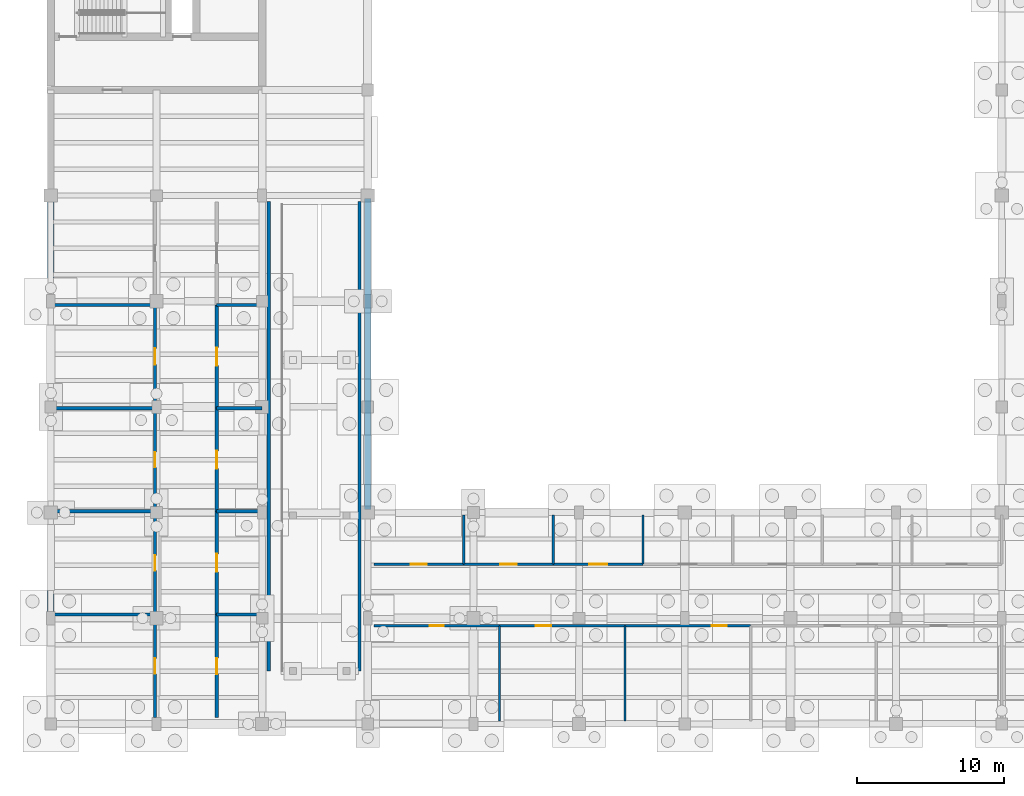
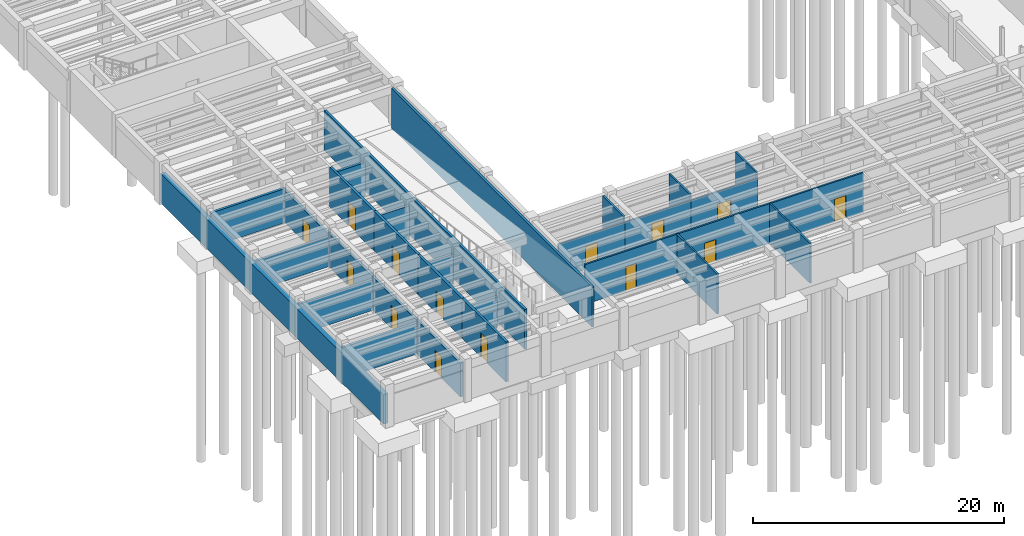
# One storey, part 16 of 33: 31 walls, 14 doors, 14 openings.
"""IFC4 building model written with IfcOpenShell, lengths in metres."""

from ifc_helpers import new_model, si_unit, direction, frame, frame_2d, origin, place, context, subcontext, project, spatial, rectangle, extrude, material, layer, layer_set, type_object, element, fill, save


model = new_model("IFC4")

# Units and contexts
model_context = context("Model", 3, precision=1e-05, world=origin(), true_north=direction((0.0, 1.0)))
body_context = subcontext(model_context, "Body", "Model", "MODEL_VIEW")
ifc_project = project(units=[si_unit("LENGTHUNIT", "METRE"), si_unit("AREAUNIT", "SQUARE_METRE"), si_unit("VOLUMEUNIT", "CUBIC_METRE"), si_unit("PLANEANGLEUNIT", "RADIAN"), si_unit("MASSUNIT", "GRAM", prefix="KILO")], contexts=[model_context])

# Site, building, storey
site_placement = place(None, origin())
site = spatial("IfcSite", under=ifc_project, at=site_placement, CompositionType="ELEMENT")
building_placement = place(site_placement, origin())
building = spatial("IfcBuilding", under=site, at=building_placement, Name="Mithqara Police Headquarters", CompositionType="ELEMENT")
storey_placement = place(building_placement, frame((0.0, 0.0, -4.199951171875)))
storey = spatial("IfcBuildingStorey", under=building, at=storey_placement, Name="B1", CompositionType="ELEMENT", Elevation=-4.199951171875)

# Wall, opening, door
ifc_material_1 = material(Name="Gypsum acoustic stud partition", Category="gypsum")
ifc_layer_1 = layer(ifc_material_1, 0.159912109375, Name="Gypsum acoustic stud partition")
ifc_layer_set_1 = layer_set([ifc_layer_1], Name="Gypsum acoustic stud partition")
wall_type_1 = type_object("IfcWallType", Name="PART WALL 160", PredefinedType="PARTITIONING", material=ifc_layer_set_1)
wall_1_placement = place(storey_placement, frame((29.820068359375, 27.679931640625, 0.0), z_axis=(0.0, 0.0, 1.0), x_axis=(1.0, 0.0, 0.0)))
wall_1 = element("IfcWall", 1, at=wall_1_placement, inside=storey, type_object=wall_type_1, Name="B1 Corridor Wall Patrol Car Park", PredefinedType="PARTITIONING", context=body_context, shape_type="SweptSolid", body=[
    extrude(rectangle(XDim=8.555908203125, YDim=0.159912109375, at=frame_2d((4.27783203125, 0.0))), origin(), (0.0, 0.0, 1.0), 3.8798828125),
])
opening_1_placement = place(wall_1_placement, frame((3.7880859375, 0.0, 0.0)))
opening_1 = element("IfcOpeningElement", 2, at=opening_1_placement, cuts=wall_1, Name="Opening D-06", PredefinedType="OPENING", context=body_context, shape_type="SweptSolid", body=[
    extrude(rectangle(XDim=0.97998046875, YDim=2.35009765625, at=frame_2d((0.489990234375, 1.175048828125))), frame((0.0, 0.08984375, 0.0), z_axis=(0.0, -1.0, 0.0), x_axis=(1.0, 0.0, 0.0)), (0.0, 0.0, 1.0), 0.179931640625),
])
ifc_material_2 = material(Name="Acoustic solid-core timber leaf", Category="wood")
door_type_1 = type_object("IfcDoorType", Name="INT DOOR 980X2350", OperationType="NOTDEFINED", PredefinedType="DOOR", material=ifc_material_2)
door_1_placement = place(opening_1_placement, frame((0.97998046875, 0.0, 0.0), z_axis=(0.0, 0.0, 1.0), x_axis=(-1.0, 0.0, 0.0)))
door_1 = element("IfcDoor", 3, at=door_1_placement, inside=storey, type_object=door_type_1, Name="Patrol Car Park Entry Door", OperationType="SINGLE_SWING_LEFT", OverallHeight=2.35009765625, OverallWidth=0.97998046875, PredefinedType="DOOR", context=body_context, shape_type="SweptSolid", body=[
    extrude(rectangle(XDim=0.97998046875, YDim=2.35009765625, at=frame_2d((0.489990234375, 1.175048828125))), frame((0.0, 0.02490234375, 0.0), z_axis=(0.0, -1.0, 0.0), x_axis=(1.0, 0.0, 0.0)), (0.0, 0.0, 1.0), 0.050048828125),
])
fill(opening_1, door_1)

# Wall
wall_2_placement = place(storey_placement, frame((38.3759765625, 21.179931640625, 0.0), z_axis=(0.0, 0.0, 1.0), x_axis=(0.0, 1.0, 0.0)))
element("IfcWall", 4, at=wall_2_placement, inside=storey, type_object=wall_type_1, Name="B1 Room Partition Patrol Car Park", PredefinedType="PARTITIONING", context=body_context, shape_type="SweptSolid", body=[
    extrude(rectangle(XDim=6.5, YDim=0.159912109375, at=frame_2d((3.25, 0.0))), origin(), (0.0, 0.0, 1.0), 3.8798828125),
])

# Wall, opening, door
wall_3_placement = place(storey_placement, frame((38.3759765625, 27.679931640625, 0.0), z_axis=(0.0, 0.0, 1.0), x_axis=(1.0, 0.0, 0.0)))
wall_3 = element("IfcWall", 5, at=wall_3_placement, inside=storey, type_object=wall_type_1, Name="B1 Corridor Wall Driver Briefing Alcove", PredefinedType="PARTITIONING", context=body_context, shape_type="SweptSolid", body=[
    extrude(rectangle(XDim=8.555908203125, YDim=0.159912109375, at=frame_2d((4.27783203125, 0.0))), origin(), (0.0, 0.0, 1.0), 3.8798828125),
])
opening_2_placement = place(wall_3_placement, frame((2.474609375, 0.0, 0.0)))
opening_2 = element("IfcOpeningElement", 6, at=opening_2_placement, cuts=wall_3, Name="Opening D-07", PredefinedType="OPENING", context=body_context, shape_type="SweptSolid", body=[
    extrude(rectangle(XDim=1.0400390625, YDim=2.10009765625, at=frame_2d((0.52001953125, 1.050048828125))), frame((0.0, 0.08984375, 0.0), z_axis=(0.0, -1.0, 0.0), x_axis=(1.0, 0.0, 0.0)), (0.0, 0.0, 1.0), 0.179931640625),
])
door_type_2 = type_object("IfcDoorType", Name="INT DOOR 1040X2100", OperationType="NOTDEFINED", PredefinedType="DOOR", material=ifc_material_2)
door_2_placement = place(opening_2_placement, frame((1.0400390625, 0.0, 0.0), z_axis=(0.0, 0.0, 1.0), x_axis=(-1.0, 0.0, 0.0)))
door_2 = element("IfcDoor", 7, at=door_2_placement, inside=storey, type_object=door_type_2, Name="Driver Briefing Alcove Entry Door", OperationType="SINGLE_SWING_RIGHT", OverallHeight=2.10009765625, OverallWidth=1.0400390625, PredefinedType="DOOR", context=body_context, shape_type="SweptSolid", body=[
    extrude(rectangle(XDim=1.0400390625, YDim=2.10009765625, at=frame_2d((0.52001953125, 1.050048828125))), frame((0.0, 0.02490234375, 0.0), z_axis=(0.0, -1.0, 0.0), x_axis=(1.0, 0.0, 0.0)), (0.0, 0.0, 1.0), 0.050048828125),
])
fill(opening_2, door_2)

# Wall
wall_4_placement = place(storey_placement, frame((46.931884765625, 21.179931640625, 0.0), z_axis=(0.0, 0.0, 1.0), x_axis=(0.0, 1.0, 0.0)))
element("IfcWall", 8, at=wall_4_placement, inside=storey, type_object=wall_type_1, Name="B1 Room Partition Driver Briefing Alcove", PredefinedType="PARTITIONING", context=body_context, shape_type="SweptSolid", body=[
    extrude(rectangle(XDim=6.5, YDim=0.159912109375, at=frame_2d((3.25, 0.0))), origin(), (0.0, 0.0, 1.0), 3.8798828125),
])

# Wall, opening, door
wall_5_placement = place(storey_placement, frame((46.931884765625, 27.679931640625, 0.0), z_axis=(0.0, 0.0, 1.0), x_axis=(1.0, 0.0, 0.0)))
wall_5 = element("IfcWall", 9, at=wall_5_placement, inside=storey, type_object=wall_type_1, Name="B1 Corridor Wall Patrol Car Park", PredefinedType="PARTITIONING", context=body_context, shape_type="SweptSolid", body=[
    extrude(rectangle(XDim=8.55615234375, YDim=0.159912109375, at=frame_2d((4.278076171875, 0.0))), origin(), (0.0, 0.0, 1.0), 3.8798828125),
])
opening_3_placement = place(wall_5_placement, frame((5.89697265625, 0.0, 0.0)))
opening_3 = element("IfcOpeningElement", 10, at=opening_3_placement, cuts=wall_5, Name="Opening D-08", PredefinedType="OPENING", context=body_context, shape_type="SweptSolid", body=[
    extrude(rectangle(XDim=1.0400390625, YDim=2.219970703125, at=frame_2d((0.52001953125, 1.10986328125))), frame((0.0, 0.08984375, 0.0), z_axis=(0.0, -1.0, 0.0), x_axis=(1.0, 0.0, 0.0)), (0.0, 0.0, 1.0), 0.179931640625),
])
door_type_3 = type_object("IfcDoorType", Name="INT DOOR 1040X2220", OperationType="NOTDEFINED", PredefinedType="DOOR", material=ifc_material_2)
door_3_placement = place(opening_3_placement, frame((1.0400390625, 0.0, 0.0), z_axis=(0.0, 0.0, 1.0), x_axis=(-1.0, 0.0, 0.0)))
door_3 = element("IfcDoor", 11, at=door_3_placement, inside=storey, type_object=door_type_3, Name="Patrol Car Park Entry Door", OperationType="SINGLE_SWING_LEFT", OverallHeight=2.219970703125, OverallWidth=1.0400390625, PredefinedType="DOOR", context=body_context, shape_type="SweptSolid", body=[
    extrude(rectangle(XDim=1.0400390625, YDim=2.219970703125, at=frame_2d((0.52001953125, 1.10986328125))), frame((0.0, 0.02490234375, 0.0), z_axis=(0.0, -1.0, 0.0), x_axis=(1.0, 0.0, 0.0)), (0.0, 0.0, 1.0), 0.050048828125),
])
fill(opening_3, door_3)

wall_6_placement = place(storey_placement, frame((29.820068359375, 31.8798828125, 0.0), z_axis=(0.0, 0.0, 1.0), x_axis=(1.0, 0.0, 0.0)))
wall_6 = element("IfcWall", 12, at=wall_6_placement, inside=storey, type_object=wall_type_1, Name="B1 Corridor Wall Driver Briefing Alcove", PredefinedType="PARTITIONING", context=body_context, shape_type="SweptSolid", body=[
    extrude(rectangle(XDim=6.11083984375, YDim=0.159912109375, at=frame_2d((3.055419921875, 0.0))), origin(), (0.0, 0.0, 1.0), 3.329833984375),
])
opening_4_placement = place(wall_6_placement, frame((2.505615234375, 0.0, 0.0)))
opening_4 = element("IfcOpeningElement", 13, at=opening_4_placement, cuts=wall_6, Name="Opening D-11", PredefinedType="OPENING", context=body_context, shape_type="SweptSolid", body=[
    extrude(rectangle(XDim=1.10009765625, YDim=2.219970703125, at=frame_2d((0.550048828125, 1.10986328125))), frame((0.0, 0.08984375, 0.0), z_axis=(0.0, -1.0, 0.0), x_axis=(1.0, 0.0, 0.0)), (0.0, 0.0, 1.0), 0.179931640625),
])
door_type_4 = type_object("IfcDoorType", Name="INT DOOR 1100X2220", OperationType="NOTDEFINED", PredefinedType="DOOR", material=ifc_material_2)
door_4_placement = place(opening_4_placement, origin())
door_4 = element("IfcDoor", 14, at=door_4_placement, inside=storey, type_object=door_type_4, Name="Driver Briefing Alcove Entry Door", OperationType="SINGLE_SWING_RIGHT", OverallHeight=2.219970703125, OverallWidth=1.10009765625, PredefinedType="DOOR", context=body_context, shape_type="SweptSolid", body=[
    extrude(rectangle(XDim=1.10009765625, YDim=2.219970703125, at=frame_2d((0.550048828125, 1.10986328125))), frame((0.0, 0.02490234375, 0.0), z_axis=(0.0, -1.0, 0.0), x_axis=(1.0, 0.0, 0.0)), (0.0, 0.0, 1.0), 0.050048828125),
])
fill(opening_4, door_4)

# Wall
wall_7_placement = place(storey_placement, frame((35.930908203125, 31.8798828125, 0.0), z_axis=(0.0, 0.0, 1.0), x_axis=(0.0, 1.0, 0.0)))
element("IfcWall", 15, at=wall_7_placement, inside=storey, type_object=wall_type_1, Name="B1 Room Partition Driver Briefing Alcove", PredefinedType="PARTITIONING", context=body_context, shape_type="SweptSolid", body=[
    extrude(rectangle(XDim=3.340087890625, YDim=0.159912109375, at=frame_2d((1.669921875, 0.0))), origin(), (0.0, 0.0, 1.0), 3.8798828125),
])

# Wall, opening, door
wall_8_placement = place(storey_placement, frame((35.930908203125, 31.8798828125, 0.0), z_axis=(0.0, 0.0, 1.0), x_axis=(1.0, 0.0, 0.0)))
wall_8 = element("IfcWall", 16, at=wall_8_placement, inside=storey, type_object=wall_type_1, Name="B1 Corridor Wall Patrol Car Park", PredefinedType="PARTITIONING", context=body_context, shape_type="SweptSolid", body=[
    extrude(rectangle(XDim=6.112060546875, YDim=0.159912109375, at=frame_2d((3.05615234375, 0.0))), origin(), (0.0, 0.0, 1.0), 3.329833984375),
])
opening_5_placement = place(wall_8_placement, frame((2.506103515625, 0.0, 0.0)))
opening_5 = element("IfcOpeningElement", 17, at=opening_5_placement, cuts=wall_8, Name="Opening D-12", PredefinedType="OPENING", context=body_context, shape_type="SweptSolid", body=[
    extrude(rectangle(XDim=1.10009765625, YDim=2.35009765625, at=frame_2d((0.550048828125, 1.175048828125))), frame((0.0, 0.08984375, 0.0), z_axis=(0.0, -1.0, 0.0), x_axis=(1.0, 0.0, 0.0)), (0.0, 0.0, 1.0), 0.179931640625),
])
door_type_5 = type_object("IfcDoorType", Name="INT DOOR 1100X2350", OperationType="NOTDEFINED", PredefinedType="DOOR", material=ifc_material_2)
door_5_placement = place(opening_5_placement, origin())
door_5 = element("IfcDoor", 18, at=door_5_placement, inside=storey, type_object=door_type_5, Name="Patrol Car Park Entry Door", OperationType="SINGLE_SWING_LEFT", OverallHeight=2.35009765625, OverallWidth=1.10009765625, PredefinedType="DOOR", context=body_context, shape_type="SweptSolid", body=[
    extrude(rectangle(XDim=1.10009765625, YDim=2.35009765625, at=frame_2d((0.550048828125, 1.175048828125))), frame((0.0, 0.02490234375, 0.0), z_axis=(0.0, -1.0, 0.0), x_axis=(1.0, 0.0, 0.0)), (0.0, 0.0, 1.0), 0.050048828125),
])
fill(opening_5, door_5)

# Wall
wall_9_placement = place(storey_placement, frame((42.04296875, 31.8798828125, 0.0), z_axis=(0.0, 0.0, 1.0), x_axis=(0.0, 1.0, 0.0)))
element("IfcWall", 19, at=wall_9_placement, inside=storey, type_object=wall_type_1, Name="B1 Room Partition Patrol Car Park", PredefinedType="PARTITIONING", context=body_context, shape_type="SweptSolid", body=[
    extrude(rectangle(XDim=3.340087890625, YDim=0.159912109375, at=frame_2d((1.669921875, 0.0))), origin(), (0.0, 0.0, 1.0), 3.8798828125),
])

# Wall, opening, door
wall_10_placement = place(storey_placement, frame((42.04296875, 31.8798828125, 0.0), z_axis=(0.0, 0.0, 1.0), x_axis=(1.0, 0.0, 0.0)))
wall_10 = element("IfcWall", 20, at=wall_10_placement, inside=storey, type_object=wall_type_1, Name="B1 Corridor Wall Driver Briefing Alcove", PredefinedType="PARTITIONING", context=body_context, shape_type="SweptSolid", body=[
    extrude(rectangle(XDim=6.111083984375, YDim=0.159912109375, at=frame_2d((3.0556640625, 0.0))), origin(), (0.0, 0.0, 1.0), 3.329833984375),
])
opening_6_placement = place(wall_10_placement, frame((2.445556640625, 0.0, 0.0)))
opening_6 = element("IfcOpeningElement", 21, at=opening_6_placement, cuts=wall_10, Name="Opening D-13", PredefinedType="OPENING", context=body_context, shape_type="SweptSolid", body=[
    extrude(rectangle(XDim=1.219970703125, YDim=2.10009765625, at=frame_2d((0.60986328125, 1.050048828125))), frame((0.0, 0.08984375, 0.0), z_axis=(0.0, -1.0, 0.0), x_axis=(1.0, 0.0, 0.0)), (0.0, 0.0, 1.0), 0.179931640625),
])
door_type_6 = type_object("IfcDoorType", Name="INT DOOR 1220X2100", OperationType="NOTDEFINED", PredefinedType="DOOR", material=ifc_material_2)
door_6_placement = place(opening_6_placement, origin())
door_6 = element("IfcDoor", 22, at=door_6_placement, inside=storey, type_object=door_type_6, Name="Driver Briefing Alcove Entry Door", OperationType="SINGLE_SWING_RIGHT", OverallHeight=2.10009765625, OverallWidth=1.219970703125, PredefinedType="DOOR", context=body_context, shape_type="SweptSolid", body=[
    extrude(rectangle(XDim=1.219970703125, YDim=2.10009765625, at=frame_2d((0.60986328125, 1.050048828125))), frame((0.0, 0.02490234375, 0.0), z_axis=(0.0, -1.0, 0.0), x_axis=(1.0, 0.0, 0.0)), (0.0, 0.0, 1.0), 0.050048828125),
])
fill(opening_6, door_6)

# Walls
wall_11_placement = place(storey_placement, frame((48.154052734375, 31.8798828125, 0.0), z_axis=(0.0, 0.0, 1.0), x_axis=(0.0, 1.0, 0.0)))
element("IfcWall", 23, at=wall_11_placement, inside=storey, type_object=wall_type_1, Name="B1 Room Partition Driver Briefing Alcove", PredefinedType="PARTITIONING", context=body_context, shape_type="SweptSolid", body=[
    extrude(rectangle(XDim=3.340087890625, YDim=0.159912109375, at=frame_2d((1.669921875, 0.0))), origin(), (0.0, 0.0, 1.0), 3.8798828125),
])
ifc_material_3 = material(Name="Concrete C40/50", Category="concrete")
ifc_layer_2 = layer(ifc_material_3, 0.2099609375, Name="Concrete C40/50")
ifc_layer_set_2 = layer_set([ifc_layer_2], Name="Concrete C40/50")
wall_type_2 = type_object("IfcWallType", Name="PART WALL 210", PredefinedType="PARTITIONING", material=ifc_layer_set_2)
for number, where, z_axis, x_axis, name in (
    (24, (22.64990234375, 24.60009765625, 0.0), (0.0, 0.0, 1.0), (0.0, 1.0, 0.0), "B1 Vehicle Ramp Fire Enclosure Wall W"),
    (25, (28.85009765625, 24.60009765625, 0.0), (0.0, 0.0, 1.0), (0.0, 1.0, 0.0), "B1 Vehicle Ramp Fire Enclosure Wall E"),
):
    element("IfcWall", number, at=place(storey_placement, frame(where, z_axis=z_axis, x_axis=x_axis)), inside=storey, type_object=wall_type_2, Name=name, PredefinedType="PARTITIONING", context=body_context, shape_type="SweptSolid", body=[
        extrude(rectangle(XDim=32.0, YDim=0.2099609375, at=frame_2d((16.0, 0.0))), origin(), (0.0, 0.0, 1.0), 3.8798828125),
    ])

# Wall, opening, door
ifc_layer_3 = layer(ifc_material_3, 0.22998046875, Name="Concrete C40/50")
ifc_layer_set_3 = layer_set([ifc_layer_3], Name="Concrete C40/50")
wall_type_3 = type_object("IfcWallType", Name="PART WALL 230", PredefinedType="PARTITIONING", material=ifc_layer_set_3)
wall_12_placement = place(storey_placement, frame((14.89990234375, 21.419921875, 0.0), z_axis=(0.0, 0.0, 1.0), x_axis=(0.0, 1.0, 0.0)))
wall_12 = element("IfcWall", 26, at=wall_12_placement, inside=storey, type_object=wall_type_3, Name="B1 Corridor Wall Indoor Firing Range", PredefinedType="PARTITIONING", context=body_context, shape_type="SweptSolid", body=[
    extrude(rectangle(XDim=7.031982421875, YDim=0.22998046875, at=frame_2d((3.51611328125, 0.0))), origin(), (0.0, 0.0, 1.0), 3.280029296875),
])
opening_7_placement = place(wall_12_placement, frame((2.99609375, 0.0, 0.0)))
opening_7 = element("IfcOpeningElement", 27, at=opening_7_placement, cuts=wall_12, Name="Opening D-07", PredefinedType="OPENING", context=body_context, shape_type="SweptSolid", body=[
    extrude(rectangle(XDim=1.0400390625, YDim=2.10009765625, at=frame_2d((0.52001953125, 1.050048828125))), frame((0.0, 0.125, 0.0), z_axis=(0.0, -1.0, 0.0), x_axis=(1.0, 0.0, 0.0)), (0.0, 0.0, 1.0), 0.25),
])
door_7_placement = place(opening_7_placement, frame((1.0400390625, 0.0, 0.0), z_axis=(0.0, 0.0, 1.0), x_axis=(-1.0, 0.0, 0.0)))
door_7 = element("IfcDoor", 28, at=door_7_placement, inside=storey, type_object=door_type_2, Name="Indoor Firing Range Entry Door", OperationType="SINGLE_SWING_RIGHT", OverallHeight=2.10009765625, OverallWidth=1.0400390625, PredefinedType="DOOR", context=body_context, shape_type="SweptSolid", body=[
    extrude(rectangle(XDim=1.0400390625, YDim=2.10009765625, at=frame_2d((0.52001953125, 1.050048828125))), frame((0.0, 0.02490234375, 0.0), z_axis=(0.0, -1.0, 0.0), x_axis=(1.0, 0.0, 0.0)), (0.0, 0.0, 1.0), 0.050048828125),
])
fill(opening_7, door_7)

# Wall
wall_13_placement = place(storey_placement, frame((7.97998046875, 28.451904296875, 0.0), z_axis=(0.0, 0.0, 1.0), x_axis=(1.0, 0.0, 0.0)))
element("IfcWall", 29, at=wall_13_placement, inside=storey, type_object=wall_type_3, Name="B1 Room Partition Indoor Firing Range", PredefinedType="PARTITIONING", context=body_context, shape_type="SweptSolid", body=[
    extrude(rectangle(XDim=6.919921875, YDim=0.22998046875, at=frame_2d((3.4599609375, 0.0))), origin(), (0.0, 0.0, 1.0), 3.030029296875),
])

# Wall, opening, door
wall_14_placement = place(storey_placement, frame((14.89990234375, 28.451904296875, 0.0), z_axis=(0.0, 0.0, 1.0), x_axis=(0.0, 1.0, 0.0)))
wall_14 = element("IfcWall", 30, at=wall_14_placement, inside=storey, type_object=wall_type_3, Name="B1 Corridor Wall Range Control Booth", PredefinedType="PARTITIONING", context=body_context, shape_type="SweptSolid", body=[
    extrude(rectangle(XDim=7.031982421875, YDim=0.22998046875, at=frame_2d((3.51611328125, 0.0))), origin(), (0.0, 0.0, 1.0), 3.22998046875),
])
opening_8_placement = place(wall_14_placement, frame((2.99609375, 0.0, 0.0)))
opening_8 = element("IfcOpeningElement", 31, at=opening_8_placement, cuts=wall_14, Name="Opening D-08", PredefinedType="OPENING", context=body_context, shape_type="SweptSolid", body=[
    extrude(rectangle(XDim=1.0400390625, YDim=2.219970703125, at=frame_2d((0.52001953125, 1.10986328125))), frame((0.0, 0.125, 0.0), z_axis=(0.0, -1.0, 0.0), x_axis=(1.0, 0.0, 0.0)), (0.0, 0.0, 1.0), 0.25),
])
door_8_placement = place(opening_8_placement, frame((1.0400390625, 0.0, 0.0), z_axis=(0.0, 0.0, 1.0), x_axis=(-1.0, 0.0, 0.0)))
door_8 = element("IfcDoor", 32, at=door_8_placement, inside=storey, type_object=door_type_3, Name="Range Control Booth Entry Door", OperationType="SINGLE_SWING_LEFT", OverallHeight=2.219970703125, OverallWidth=1.0400390625, PredefinedType="DOOR", context=body_context, shape_type="SweptSolid", body=[
    extrude(rectangle(XDim=1.0400390625, YDim=2.219970703125, at=frame_2d((0.52001953125, 1.10986328125))), frame((0.0, 0.02490234375, 0.0), z_axis=(0.0, -1.0, 0.0), x_axis=(1.0, 0.0, 0.0)), (0.0, 0.0, 1.0), 0.050048828125),
])
fill(opening_8, door_8)

# Wall
wall_15_placement = place(storey_placement, frame((7.97998046875, 35.48388671875, 0.0), z_axis=(0.0, 0.0, 1.0), x_axis=(1.0, 0.0, 0.0)))
element("IfcWall", 33, at=wall_15_placement, inside=storey, type_object=wall_type_3, Name="B1 Room Partition Range Control Booth", PredefinedType="PARTITIONING", context=body_context, shape_type="SweptSolid", body=[
    extrude(rectangle(XDim=6.919921875, YDim=0.22998046875, at=frame_2d((3.4599609375, 0.0))), origin(), (0.0, 0.0, 1.0), 2.97998046875),
])

# Wall, opening, door
wall_16_placement = place(storey_placement, frame((14.89990234375, 35.48388671875, 0.0), z_axis=(0.0, 0.0, 1.0), x_axis=(0.0, 1.0, 0.0)))
wall_16 = element("IfcWall", 34, at=wall_16_placement, inside=storey, type_object=wall_type_3, Name="B1 Corridor Wall Bullet Trap Maintenance Room", PredefinedType="PARTITIONING", context=body_context, shape_type="SweptSolid", body=[
    extrude(rectangle(XDim=7.0322265625, YDim=0.22998046875, at=frame_2d((3.51611328125, 0.0))), origin(), (0.0, 0.0, 1.0), 3.22998046875),
])
opening_9_placement = place(wall_16_placement, frame((2.99609375, 0.0, 0.0)))
opening_9 = element("IfcOpeningElement", 35, at=opening_9_placement, cuts=wall_16, Name="Opening D-09", PredefinedType="OPENING", context=body_context, shape_type="SweptSolid", body=[
    extrude(rectangle(XDim=1.0400390625, YDim=2.35009765625, at=frame_2d((0.52001953125, 1.175048828125))), frame((0.0, 0.125, 0.0), z_axis=(0.0, -1.0, 0.0), x_axis=(1.0, 0.0, 0.0)), (0.0, 0.0, 1.0), 0.25),
])
door_type_7 = type_object("IfcDoorType", Name="INT DOOR 1040X2350", OperationType="NOTDEFINED", PredefinedType="DOOR", material=ifc_material_2)
door_9_placement = place(opening_9_placement, frame((1.0400390625, 0.0, 0.0), z_axis=(0.0, 0.0, 1.0), x_axis=(-1.0, 0.0, 0.0)))
door_9 = element("IfcDoor", 36, at=door_9_placement, inside=storey, type_object=door_type_7, Name="Bullet Trap Maintenance Room Entry Door", OperationType="SINGLE_SWING_RIGHT", OverallHeight=2.35009765625, OverallWidth=1.0400390625, PredefinedType="DOOR", context=body_context, shape_type="SweptSolid", body=[
    extrude(rectangle(XDim=1.0400390625, YDim=2.35009765625, at=frame_2d((0.52001953125, 1.175048828125))), frame((0.0, 0.02490234375, 0.0), z_axis=(0.0, -1.0, 0.0), x_axis=(1.0, 0.0, 0.0)), (0.0, 0.0, 1.0), 0.050048828125),
])
fill(opening_9, door_9)

# Wall
wall_17_placement = place(storey_placement, frame((7.97998046875, 42.51611328125, 0.0), z_axis=(0.0, 0.0, 1.0), x_axis=(1.0, 0.0, 0.0)))
element("IfcWall", 37, at=wall_17_placement, inside=storey, type_object=wall_type_3, Name="B1 Room Partition Bullet Trap Maintenance Room", PredefinedType="PARTITIONING", context=body_context, shape_type="SweptSolid", body=[
    extrude(rectangle(XDim=6.919921875, YDim=0.22998046875, at=frame_2d((3.4599609375, 0.0))), origin(), (0.0, 0.0, 1.0), 2.8798828125),
])

# Wall, opening, door
wall_18_placement = place(storey_placement, frame((14.89990234375, 42.51611328125, 0.0), z_axis=(0.0, 0.0, 1.0), x_axis=(0.0, 1.0, 0.0)))
wall_18 = element("IfcWall", 38, at=wall_18_placement, inside=storey, type_object=wall_type_3, Name="B1 Corridor Wall Indoor Firing Range", PredefinedType="PARTITIONING", context=body_context, shape_type="SweptSolid", body=[
    extrude(rectangle(XDim=7.031982421875, YDim=0.22998046875, at=frame_2d((3.51611328125, 0.0))), origin(), (0.0, 0.0, 1.0), 3.1298828125),
])
opening_10_placement = place(wall_18_placement, frame((2.966064453125, 0.0, 0.0)))
opening_10 = element("IfcOpeningElement", 39, at=opening_10_placement, cuts=wall_18, Name="Opening D-10", PredefinedType="OPENING", context=body_context, shape_type="SweptSolid", body=[
    extrude(rectangle(XDim=1.10009765625, YDim=2.10009765625, at=frame_2d((0.550048828125, 1.050048828125))), frame((0.0, 0.125, 0.0), z_axis=(0.0, -1.0, 0.0), x_axis=(1.0, 0.0, 0.0)), (0.0, 0.0, 1.0), 0.25),
])
door_type_8 = type_object("IfcDoorType", Name="INT DOOR 1100X2100", OperationType="NOTDEFINED", PredefinedType="DOOR", material=ifc_material_2)
door_10_placement = place(opening_10_placement, frame((1.10009765625, 0.0, 0.0), z_axis=(0.0, 0.0, 1.0), x_axis=(-1.0, 0.0, 0.0)))
door_10 = element("IfcDoor", 40, at=door_10_placement, inside=storey, type_object=door_type_8, Name="Indoor Firing Range Entry Door", OperationType="SINGLE_SWING_LEFT", OverallHeight=2.10009765625, OverallWidth=1.10009765625, PredefinedType="DOOR", context=body_context, shape_type="SweptSolid", body=[
    extrude(rectangle(XDim=1.10009765625, YDim=2.10009765625, at=frame_2d((0.550048828125, 1.050048828125))), frame((0.0, 0.02490234375, 0.0), z_axis=(0.0, -1.0, 0.0), x_axis=(1.0, 0.0, 0.0)), (0.0, 0.0, 1.0), 0.050048828125),
])
fill(opening_10, door_10)

# Wall
wall_19_placement = place(storey_placement, frame((7.97998046875, 49.548095703125, 0.0), z_axis=(0.0, 0.0, 1.0), x_axis=(1.0, 0.0, 0.0)))
element("IfcWall", 41, at=wall_19_placement, inside=storey, type_object=wall_type_3, Name="B1 Room Partition Indoor Firing Range", PredefinedType="PARTITIONING", context=body_context, shape_type="SweptSolid", body=[
    extrude(rectangle(XDim=6.919921875, YDim=0.22998046875, at=frame_2d((3.4599609375, 0.0))), origin(), (0.0, 0.0, 1.0), 3.329833984375),
])

# Wall, opening, door
wall_20_placement = place(storey_placement, frame((19.10009765625, 21.419921875, 0.0), z_axis=(0.0, 0.0, 1.0), x_axis=(0.0, 1.0, 0.0)))
wall_20 = element("IfcWall", 42, at=wall_20_placement, inside=storey, type_object=wall_type_3, Name="B1 Corridor Wall Bullet Trap Maintenance Room", PredefinedType="PARTITIONING", context=body_context, shape_type="SweptSolid", body=[
    extrude(rectangle(XDim=7.031982421875, YDim=0.22998046875, at=frame_2d((3.51611328125, 0.0))), origin(), (0.0, 0.0, 1.0), 3.8798828125),
])
opening_11_placement = place(wall_20_placement, frame((2.966064453125, 0.0, 0.0)))
opening_11 = element("IfcOpeningElement", 43, at=opening_11_placement, cuts=wall_20, Name="Opening D-12", PredefinedType="OPENING", context=body_context, shape_type="SweptSolid", body=[
    extrude(rectangle(XDim=1.10009765625, YDim=2.35009765625, at=frame_2d((0.550048828125, 1.175048828125))), frame((0.0, 0.125, 0.0), z_axis=(0.0, -1.0, 0.0), x_axis=(1.0, 0.0, 0.0)), (0.0, 0.0, 1.0), 0.25),
])
door_11_placement = place(opening_11_placement, origin())
door_11 = element("IfcDoor", 44, at=door_11_placement, inside=storey, type_object=door_type_5, Name="Bullet Trap Maintenance Room Entry Door", OperationType="SINGLE_SWING_LEFT", OverallHeight=2.35009765625, OverallWidth=1.10009765625, PredefinedType="DOOR", context=body_context, shape_type="SweptSolid", body=[
    extrude(rectangle(XDim=1.10009765625, YDim=2.35009765625, at=frame_2d((0.550048828125, 1.175048828125))), frame((0.0, 0.02490234375, 0.0), z_axis=(0.0, -1.0, 0.0), x_axis=(1.0, 0.0, 0.0)), (0.0, 0.0, 1.0), 0.050048828125),
])
fill(opening_11, door_11)

# Wall
wall_21_placement = place(storey_placement, frame((19.10009765625, 28.451904296875, 0.0), z_axis=(0.0, 0.0, 1.0), x_axis=(1.0, 0.0, 0.0)))
element("IfcWall", 45, at=wall_21_placement, inside=storey, type_object=wall_type_3, Name="B1 Room Partition Bullet Trap Maintenance Room", PredefinedType="PARTITIONING", context=body_context, shape_type="SweptSolid", body=[
    extrude(rectangle(XDim=3.099853515625, YDim=0.22998046875, at=frame_2d((1.5498046875, 0.0))), origin(), (0.0, 0.0, 1.0), 2.97998046875),
])

# Wall, opening, door
wall_22_placement = place(storey_placement, frame((19.10009765625, 28.451904296875, 0.0), z_axis=(0.0, 0.0, 1.0), x_axis=(0.0, 1.0, 0.0)))
wall_22 = element("IfcWall", 46, at=wall_22_placement, inside=storey, type_object=wall_type_3, Name="B1 Corridor Wall Indoor Firing Range", PredefinedType="PARTITIONING", context=body_context, shape_type="SweptSolid", body=[
    extrude(rectangle(XDim=7.031982421875, YDim=0.22998046875, at=frame_2d((3.51611328125, 0.0))), origin(), (0.0, 0.0, 1.0), 3.8798828125),
])
opening_12_placement = place(wall_22_placement, frame((2.906005859375, 0.0, 0.0)))
opening_12 = element("IfcOpeningElement", 47, at=opening_12_placement, cuts=wall_22, Name="Opening D-13", PredefinedType="OPENING", context=body_context, shape_type="SweptSolid", body=[
    extrude(rectangle(XDim=1.219970703125, YDim=2.10009765625, at=frame_2d((0.60986328125, 1.050048828125))), frame((0.0, 0.125, 0.0), z_axis=(0.0, -1.0, 0.0), x_axis=(1.0, 0.0, 0.0)), (0.0, 0.0, 1.0), 0.25),
])
door_12_placement = place(opening_12_placement, origin())
door_12 = element("IfcDoor", 48, at=door_12_placement, inside=storey, type_object=door_type_6, Name="Indoor Firing Range Entry Door", OperationType="SINGLE_SWING_RIGHT", OverallHeight=2.10009765625, OverallWidth=1.219970703125, PredefinedType="DOOR", context=body_context, shape_type="SweptSolid", body=[
    extrude(rectangle(XDim=1.219970703125, YDim=2.10009765625, at=frame_2d((0.60986328125, 1.050048828125))), frame((0.0, 0.02490234375, 0.0), z_axis=(0.0, -1.0, 0.0), x_axis=(1.0, 0.0, 0.0)), (0.0, 0.0, 1.0), 0.050048828125),
])
fill(opening_12, door_12)

# Wall
wall_23_placement = place(storey_placement, frame((19.10009765625, 35.48388671875, 0.0), z_axis=(0.0, 0.0, 1.0), x_axis=(1.0, 0.0, 0.0)))
element("IfcWall", 49, at=wall_23_placement, inside=storey, type_object=wall_type_3, Name="B1 Room Partition Indoor Firing Range", PredefinedType="PARTITIONING", context=body_context, shape_type="SweptSolid", body=[
    extrude(rectangle(XDim=3.099853515625, YDim=0.22998046875, at=frame_2d((1.5498046875, 0.0))), origin(), (0.0, 0.0, 1.0), 2.8798828125),
])

# Wall, opening, door
wall_24_placement = place(storey_placement, frame((19.10009765625, 35.48388671875, 0.0), z_axis=(0.0, 0.0, 1.0), x_axis=(0.0, 1.0, 0.0)))
wall_24 = element("IfcWall", 50, at=wall_24_placement, inside=storey, type_object=wall_type_3, Name="B1 Corridor Wall Range Control Booth", PredefinedType="PARTITIONING", context=body_context, shape_type="SweptSolid", body=[
    extrude(rectangle(XDim=7.0322265625, YDim=0.22998046875, at=frame_2d((3.51611328125, 0.0))), origin(), (0.0, 0.0, 1.0), 3.8798828125),
])
opening_13_placement = place(wall_24_placement, frame((2.906005859375, 0.0, 0.0)))
opening_13 = element("IfcOpeningElement", 51, at=opening_13_placement, cuts=wall_24, Name="Opening D-14", PredefinedType="OPENING", context=body_context, shape_type="SweptSolid", body=[
    extrude(rectangle(XDim=1.219970703125, YDim=2.219970703125, at=frame_2d((0.60986328125, 1.10986328125))), frame((0.0, 0.125, 0.0), z_axis=(0.0, -1.0, 0.0), x_axis=(1.0, 0.0, 0.0)), (0.0, 0.0, 1.0), 0.25),
])
door_type_9 = type_object("IfcDoorType", Name="INT DOOR 1220X2220", OperationType="NOTDEFINED", PredefinedType="DOOR", material=ifc_material_2)
door_13_placement = place(opening_13_placement, origin())
door_13 = element("IfcDoor", 52, at=door_13_placement, inside=storey, type_object=door_type_9, Name="Range Control Booth Entry Door", OperationType="SINGLE_SWING_LEFT", OverallHeight=2.219970703125, OverallWidth=1.219970703125, PredefinedType="DOOR", context=body_context, shape_type="SweptSolid", body=[
    extrude(rectangle(XDim=1.219970703125, YDim=2.219970703125, at=frame_2d((0.60986328125, 1.10986328125))), frame((0.0, 0.02490234375, 0.0), z_axis=(0.0, -1.0, 0.0), x_axis=(1.0, 0.0, 0.0)), (0.0, 0.0, 1.0), 0.050048828125),
])
fill(opening_13, door_13)

# Wall
wall_25_placement = place(storey_placement, frame((19.10009765625, 42.51611328125, 0.0), z_axis=(0.0, 0.0, 1.0), x_axis=(1.0, 0.0, 0.0)))
element("IfcWall", 53, at=wall_25_placement, inside=storey, type_object=wall_type_3, Name="B1 Room Partition Range Control Booth", PredefinedType="PARTITIONING", context=body_context, shape_type="SweptSolid", body=[
    extrude(rectangle(XDim=3.099853515625, YDim=0.22998046875, at=frame_2d((1.5498046875, 0.0))), origin(), (0.0, 0.0, 1.0), 3.329833984375),
])

# Wall, opening, door
wall_26_placement = place(storey_placement, frame((19.10009765625, 42.51611328125, 0.0), z_axis=(0.0, 0.0, 1.0), x_axis=(0.0, 1.0, 0.0)))
wall_26 = element("IfcWall", 54, at=wall_26_placement, inside=storey, type_object=wall_type_3, Name="B1 Corridor Wall Bullet Trap Maintenance Room", PredefinedType="PARTITIONING", context=body_context, shape_type="SweptSolid", body=[
    extrude(rectangle(XDim=7.031982421875, YDim=0.22998046875, at=frame_2d((3.51611328125, 0.0))), origin(), (0.0, 0.0, 1.0), 3.8798828125),
])
opening_14_placement = place(wall_26_placement, frame((2.906005859375, 0.0, 0.0)))
opening_14 = element("IfcOpeningElement", 55, at=opening_14_placement, cuts=wall_26, Name="Opening D-15", PredefinedType="OPENING", context=body_context, shape_type="SweptSolid", body=[
    extrude(rectangle(XDim=1.219970703125, YDim=2.35009765625, at=frame_2d((0.60986328125, 1.175048828125))), frame((0.0, 0.125, 0.0), z_axis=(0.0, -1.0, 0.0), x_axis=(1.0, 0.0, 0.0)), (0.0, 0.0, 1.0), 0.25),
])
door_type_10 = type_object("IfcDoorType", Name="INT DOOR 1220X2350", OperationType="NOTDEFINED", PredefinedType="DOOR", material=ifc_material_2)
door_14_placement = place(opening_14_placement, origin())
door_14 = element("IfcDoor", 56, at=door_14_placement, inside=storey, type_object=door_type_10, Name="Bullet Trap Maintenance Room Entry Door", OperationType="SINGLE_SWING_RIGHT", OverallHeight=2.35009765625, OverallWidth=1.219970703125, PredefinedType="DOOR", context=body_context, shape_type="SweptSolid", body=[
    extrude(rectangle(XDim=1.219970703125, YDim=2.35009765625, at=frame_2d((0.60986328125, 1.175048828125))), frame((0.0, 0.02490234375, 0.0), z_axis=(0.0, -1.0, 0.0), x_axis=(1.0, 0.0, 0.0)), (0.0, 0.0, 1.0), 0.050048828125),
])
fill(opening_14, door_14)

# Walls
wall_27_placement = place(storey_placement, frame((19.10009765625, 49.548095703125, 0.0), z_axis=(0.0, 0.0, 1.0), x_axis=(1.0, 0.0, 0.0)))
element("IfcWall", 57, at=wall_27_placement, inside=storey, type_object=wall_type_3, Name="B1 Room Partition Bullet Trap Maintenance Room", PredefinedType="PARTITIONING", context=body_context, shape_type="SweptSolid", body=[
    extrude(rectangle(XDim=3.099853515625, YDim=0.22998046875, at=frame_2d((1.5498046875, 0.0))), origin(), (0.0, 0.0, 1.0), 3.280029296875),
])
ifc_layer_4 = layer(ifc_material_3, 0.419921875, Name="Concrete C40/50")
ifc_layer_set_4 = layer_set([ifc_layer_4], Name="Concrete C40/50")
wall_type_4 = type_object("IfcWallType", Name="RETAINING WALL 420", PredefinedType="USERDEFINED", material=ifc_layer_set_4)
wall_28_placement = place(storey_placement, frame((7.800048828125, 21.199951171875, 0.0), z_axis=(0.0, 0.0, 1.0), x_axis=(0.0, 1.0, 0.0)))
element("IfcWall", 58, at=wall_28_placement, inside=storey, type_object=wall_type_4, Name="B1 Perimeter Retaining Wall 2", ObjectType="RETAININGWALL", PredefinedType="USERDEFINED", context=body_context, shape_type="SweptSolid", body=[
    extrude(rectangle(XDim=35.60009765625, YDim=0.419921875, at=frame_2d((17.800048828125, 0.0))), origin(), (0.0, 0.0, 1.0), 2.8798828125),
])
wall_29_placement = place(storey_placement, frame((29.39990234375, 56.800048828125, 0.0), z_axis=(0.0, 0.0, 1.0), x_axis=(0.0, -1.0, 0.0)))
element("IfcWall", 59, at=wall_29_placement, inside=storey, type_object=wall_type_4, Name="B1 Perimeter Retaining Wall 21", ObjectType="RETAININGWALL", PredefinedType="USERDEFINED", context=body_context, shape_type="SweptSolid", body=[
    extrude(rectangle(XDim=21.199951171875, YDim=0.419921875, at=frame_2d((10.60009765625, 0.0))), origin(), (0.0, 0.0, 1.0), 3.030029296875),
])

save(model, "model.ifc")
